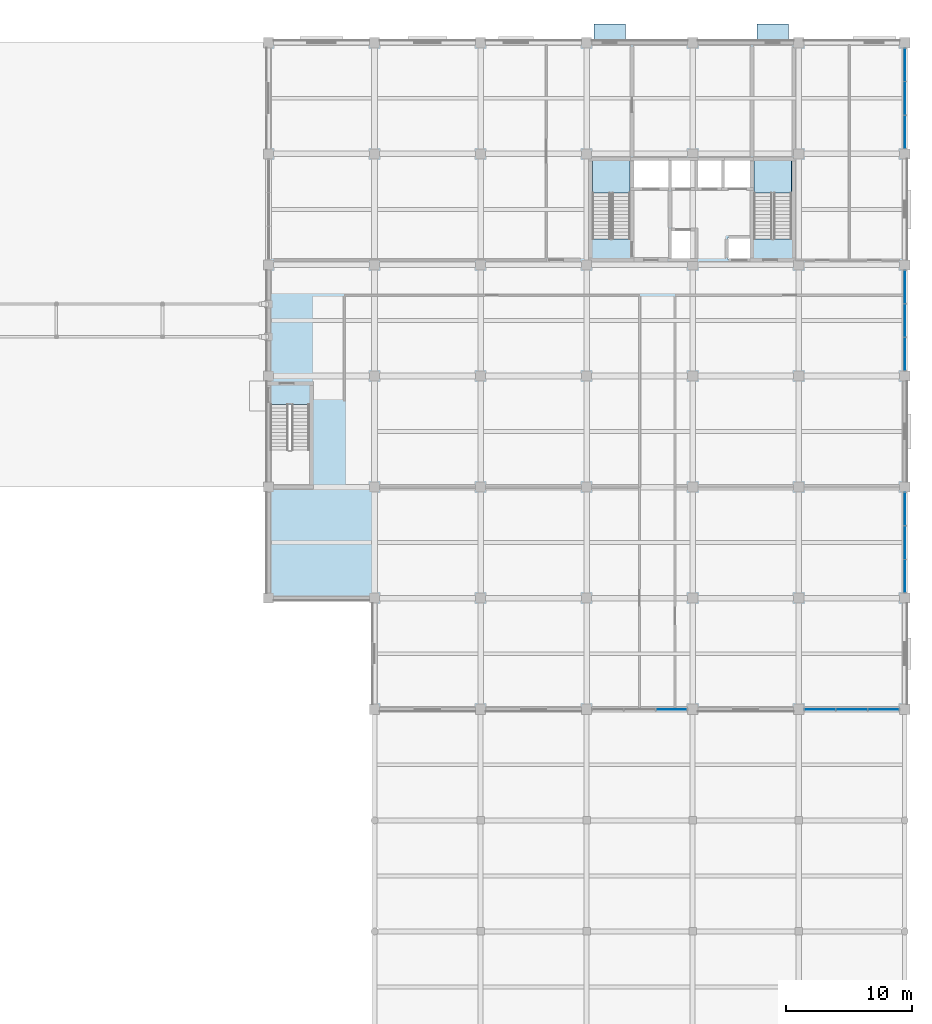
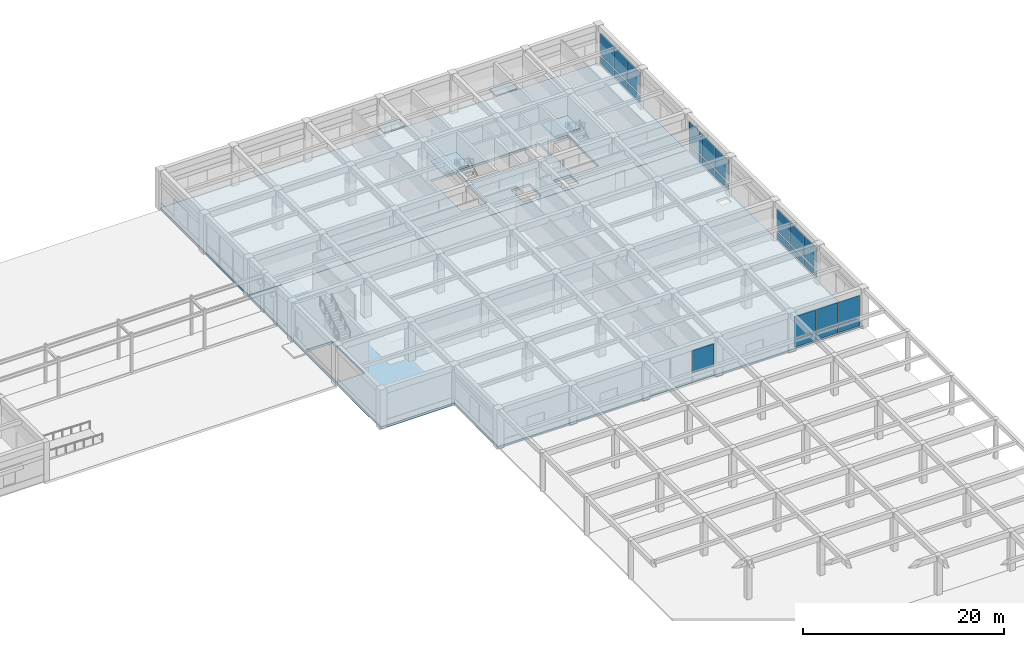
# One storey, part 28 of 58: 25 plates, 6 slabs, 7 elements without a shape of their own.
"""IFC4 building model written with IfcOpenShell, lengths in metres."""

from ifc_helpers import new_model, si_unit, direction, frame, origin, origin_2d, place, context, subcontext, project, spatial, polyline, rectangle, outline, extrude, material, layer, layer_set, type_object, element, aggregate, save


model = new_model("IFC4")

# Units and contexts
model_context = context("Model", 3, precision=1e-05, world=origin(), true_north=direction((0.0, 1.0)))
body_context = subcontext(model_context, "Body", "Model", "MODEL_VIEW")
ifc_project = project(units=[si_unit("LENGTHUNIT", "METRE"), si_unit("AREAUNIT", "SQUARE_METRE"), si_unit("VOLUMEUNIT", "CUBIC_METRE"), si_unit("PLANEANGLEUNIT", "RADIAN"), si_unit("MASSUNIT", "GRAM", prefix="KILO")], contexts=[model_context])

# Site, building, storey
site_placement = place(None, origin())
site = spatial("IfcSite", under=ifc_project, at=site_placement, CompositionType="ELEMENT")
building_placement = place(site_placement, origin())
building = spatial("IfcBuilding", under=site, at=building_placement, Name="Kemercrest Conservatory and Botanical Centre", CompositionType="ELEMENT")
storey_placement = place(building_placement, origin())
storey = spatial("IfcBuildingStorey", under=building, at=storey_placement, Name="L00", CompositionType="ELEMENT", Elevation=0.0)

# Curtain wall, plate
ifc_material_1 = material(Name="Thermally broken aluminium and triple low-e glazing", Category="aluminium")
curtain_wall_type_1 = type_object("IfcCurtainWallType", Name="CW-13", PredefinedType="USERDEFINED", material=ifc_material_1)
curtain_wall_1_placement = place(storey_placement, origin())
curtain_wall_1 = element("IfcCurtainWall", 1, at=curtain_wall_1_placement, inside=storey, type_object=curtain_wall_type_1, Name="Unitised curtain wall CW-13 (CW:L00:V4-042)", ObjectType="UNITISED CURTAIN WALL", PredefinedType="USERDEFINED")
ifc_material_2 = material(Name="Triple low-e argon insulated glazing unit", Category="glass")
ifc_layer_1 = layer(ifc_material_2, 0.035888671875)
ifc_layer_set_1 = layer_set([ifc_layer_1], Name="Triple low-e argon insulated glazing unit")
plate_type = type_object("IfcPlateType", Name="CW-PNL036", PredefinedType="CURTAIN_PANEL", material=ifc_layer_set_1)
plate_1_placement = place(storey_placement, frame((157.5205078125, 69.60009765625, 1.2099609375), z_axis=(0.0, 0.0, 1.0), x_axis=(1.0, 0.0, 0.0)))
plate_1 = element("IfcPlate", 2, at=plate_1_placement, type_object=plate_type, Name="CW-13 panel 3.2", PredefinedType="CURTAIN_PANEL", context=body_context, shape_type="SweptSolid", body=[
    extrude(rectangle(XDim=2.439208984375, YDim=0.035888671875, at=origin_2d()), origin(), (0.0, 0.0, 1.0), 2.6650390625),
])
aggregate(curtain_wall_1, [plate_1])

# Curtain wall, plates
curtain_wall_type_2 = type_object("IfcCurtainWallType", Name="CW-14", PredefinedType="USERDEFINED", material=ifc_material_1)
curtain_wall_2_placement = place(storey_placement, origin())
curtain_wall_2 = element("IfcCurtainWall", 3, at=curtain_wall_2_placement, inside=storey, type_object=curtain_wall_type_2, Name="Unitised curtain wall CW-14 (CW:L00:V4-043)", ObjectType="UNITISED CURTAIN WALL", PredefinedType="USERDEFINED")
plate_2_placement = place(storey_placement, frame((169.279541015625, 69.60009765625, 0.179931640625), z_axis=(0.0, 0.0, 1.0), x_axis=(1.0, 0.0, 0.0)))
plate_2 = element("IfcPlate", 4, at=plate_2_placement, type_object=plate_type, Name="CW-14 panel 1.1", PredefinedType="CURTAIN_PANEL", context=body_context, shape_type="SweptSolid", body=[
    extrude(rectangle(XDim=2.439208984375, YDim=0.035888671875, at=origin_2d()), origin(), (0.0, 0.0, 1.0), 0.85009765625),
])
plate_3_placement = place(storey_placement, frame((169.279541015625, 69.60009765625, 1.2099609375), z_axis=(0.0, 0.0, 1.0), x_axis=(1.0, 0.0, 0.0)))
plate_3 = element("IfcPlate", 5, at=plate_3_placement, type_object=plate_type, Name="CW-14 panel 1.2", PredefinedType="CURTAIN_PANEL", context=body_context, shape_type="SweptSolid", body=[
    extrude(rectangle(XDim=2.439208984375, YDim=0.035888671875, at=origin_2d()), origin(), (0.0, 0.0, 1.0), 2.6650390625),
])
plate_4_placement = place(storey_placement, frame((171.800048828125, 69.60009765625, 0.179931640625), z_axis=(0.0, 0.0, 1.0), x_axis=(1.0, 0.0, 0.0)))
plate_4 = element("IfcPlate", 6, at=plate_4_placement, type_object=plate_type, Name="CW-14 panel 2.1", PredefinedType="CURTAIN_PANEL", context=body_context, shape_type="SweptSolid", body=[
    extrude(rectangle(XDim=2.4716796875, YDim=0.035888671875, at=origin_2d()), origin(), (0.0, 0.0, 1.0), 0.85009765625),
])
plate_5_placement = place(storey_placement, frame((171.800048828125, 69.60009765625, 1.2099609375), z_axis=(0.0, 0.0, 1.0), x_axis=(1.0, 0.0, 0.0)))
plate_5 = element("IfcPlate", 7, at=plate_5_placement, type_object=plate_type, Name="CW-14 panel 2.2", PredefinedType="CURTAIN_PANEL", context=body_context, shape_type="SweptSolid", body=[
    extrude(rectangle(XDim=2.4716796875, YDim=0.035888671875, at=origin_2d()), origin(), (0.0, 0.0, 1.0), 2.6650390625),
])
plate_6_placement = place(storey_placement, frame((174.3203125, 69.60009765625, 0.179931640625), z_axis=(0.0, 0.0, 1.0), x_axis=(1.0, 0.0, 0.0)))
plate_6 = element("IfcPlate", 8, at=plate_6_placement, type_object=plate_type, Name="CW-14 panel 3.1", PredefinedType="CURTAIN_PANEL", context=body_context, shape_type="SweptSolid", body=[
    extrude(rectangle(XDim=2.439208984375, YDim=0.035888671875, at=origin_2d()), origin(), (0.0, 0.0, 1.0), 0.85009765625),
])
plate_7_placement = place(storey_placement, frame((174.3203125, 69.60009765625, 1.2099609375), z_axis=(0.0, 0.0, 1.0), x_axis=(1.0, 0.0, 0.0)))
plate_7 = element("IfcPlate", 9, at=plate_7_placement, type_object=plate_type, Name="CW-14 panel 3.2", PredefinedType="CURTAIN_PANEL", context=body_context, shape_type="SweptSolid", body=[
    extrude(rectangle(XDim=2.439208984375, YDim=0.035888671875, at=origin_2d()), origin(), (0.0, 0.0, 1.0), 2.6650390625),
])
aggregate(curtain_wall_2, [plate_2, plate_3, plate_4, plate_5, plate_6, plate_7])

curtain_wall_type_3 = type_object("IfcCurtainWallType", Name="CW-15", PredefinedType="USERDEFINED", material=ifc_material_1)
curtain_wall_3_placement = place(storey_placement, origin())
curtain_wall_3 = element("IfcCurtainWall", 10, at=curtain_wall_3_placement, inside=storey, type_object=curtain_wall_type_3, Name="Unitised curtain wall CW-15 (CW:L00:V4-044)", ObjectType="UNITISED CURTAIN WALL", PredefinedType="USERDEFINED")
plate_8_placement = place(storey_placement, frame((176.0, 80.146240234375, 0.179931640625), z_axis=(0.0, 0.0, 1.0), x_axis=(0.0, 1.0, 0.0)))
plate_8 = element("IfcPlate", 11, at=plate_8_placement, type_object=plate_type, Name="CW-15 panel 1.1", PredefinedType="CURTAIN_PANEL", context=body_context, shape_type="SweptSolid", body=[
    extrude(rectangle(XDim=2.572509765625, YDim=0.035888671875, at=origin_2d()), origin(), (0.0, 0.0, 1.0), 0.85009765625),
])
plate_9_placement = place(storey_placement, frame((176.0, 80.146240234375, 1.2099609375), z_axis=(0.0, 0.0, 1.0), x_axis=(0.0, 1.0, 0.0)))
plate_9 = element("IfcPlate", 12, at=plate_9_placement, type_object=plate_type, Name="CW-15 panel 1.2", PredefinedType="CURTAIN_PANEL", context=body_context, shape_type="SweptSolid", body=[
    extrude(rectangle(XDim=2.572509765625, YDim=0.035888671875, at=origin_2d()), origin(), (0.0, 0.0, 1.0), 2.6650390625),
])
plate_10_placement = place(storey_placement, frame((176.0, 82.800048828125, 0.179931640625), z_axis=(0.0, 0.0, 1.0), x_axis=(0.0, 1.0, 0.0)))
plate_10 = element("IfcPlate", 13, at=plate_10_placement, type_object=plate_type, Name="CW-15 panel 2.1", PredefinedType="CURTAIN_PANEL", context=body_context, shape_type="SweptSolid", body=[
    extrude(rectangle(XDim=2.60498046875, YDim=0.035888671875, at=origin_2d()), origin(), (0.0, 0.0, 1.0), 0.85009765625),
])
plate_11_placement = place(storey_placement, frame((176.0, 82.800048828125, 1.2099609375), z_axis=(0.0, 0.0, 1.0), x_axis=(0.0, 1.0, 0.0)))
plate_11 = element("IfcPlate", 14, at=plate_11_placement, type_object=plate_type, Name="CW-15 panel 2.2", PredefinedType="CURTAIN_PANEL", context=body_context, shape_type="SweptSolid", body=[
    extrude(rectangle(XDim=2.60498046875, YDim=0.035888671875, at=origin_2d()), origin(), (0.0, 0.0, 1.0), 2.6650390625),
])
plate_12_placement = place(storey_placement, frame((176.0, 85.453857421875, 0.179931640625), z_axis=(0.0, 0.0, 1.0), x_axis=(0.0, 1.0, 0.0)))
plate_12 = element("IfcPlate", 15, at=plate_12_placement, type_object=plate_type, Name="CW-15 panel 3.1", PredefinedType="CURTAIN_PANEL", context=body_context, shape_type="SweptSolid", body=[
    extrude(rectangle(XDim=2.572509765625, YDim=0.035888671875, at=origin_2d()), origin(), (0.0, 0.0, 1.0), 0.85009765625),
])
plate_13_placement = place(storey_placement, frame((176.0, 85.453857421875, 1.2099609375), z_axis=(0.0, 0.0, 1.0), x_axis=(0.0, 1.0, 0.0)))
plate_13 = element("IfcPlate", 16, at=plate_13_placement, type_object=plate_type, Name="CW-15 panel 3.2", PredefinedType="CURTAIN_PANEL", context=body_context, shape_type="SweptSolid", body=[
    extrude(rectangle(XDim=2.572509765625, YDim=0.035888671875, at=origin_2d()), origin(), (0.0, 0.0, 1.0), 2.6650390625),
])
aggregate(curtain_wall_3, [plate_8, plate_9, plate_10, plate_11, plate_12, plate_13])

curtain_wall_type_4 = type_object("IfcCurtainWallType", Name="CW-16", PredefinedType="USERDEFINED", material=ifc_material_1)
curtain_wall_4_placement = place(storey_placement, origin())
curtain_wall_4 = element("IfcCurtainWall", 17, at=curtain_wall_4_placement, inside=storey, type_object=curtain_wall_type_4, Name="Unitised curtain wall CW-16 (CW:L00:V4-045)", ObjectType="UNITISED CURTAIN WALL", PredefinedType="USERDEFINED")
plate_14_placement = place(storey_placement, frame((176.0, 97.746337890625, 0.179931640625), z_axis=(0.0, 0.0, 1.0), x_axis=(0.0, 1.0, 0.0)))
plate_14 = element("IfcPlate", 18, at=plate_14_placement, type_object=plate_type, Name="CW-16 panel 1.1", PredefinedType="CURTAIN_PANEL", context=body_context, shape_type="SweptSolid", body=[
    extrude(rectangle(XDim=2.572509765625, YDim=0.035888671875, at=origin_2d()), origin(), (0.0, 0.0, 1.0), 0.85009765625),
])
plate_15_placement = place(storey_placement, frame((176.0, 97.746337890625, 1.2099609375), z_axis=(0.0, 0.0, 1.0), x_axis=(0.0, 1.0, 0.0)))
plate_15 = element("IfcPlate", 19, at=plate_15_placement, type_object=plate_type, Name="CW-16 panel 1.2", PredefinedType="CURTAIN_PANEL", context=body_context, shape_type="SweptSolid", body=[
    extrude(rectangle(XDim=2.572509765625, YDim=0.035888671875, at=origin_2d()), origin(), (0.0, 0.0, 1.0), 2.6650390625),
])
plate_16_placement = place(storey_placement, frame((176.0, 100.39990234375, 0.179931640625), z_axis=(0.0, 0.0, 1.0), x_axis=(0.0, 1.0, 0.0)))
plate_16 = element("IfcPlate", 20, at=plate_16_placement, type_object=plate_type, Name="CW-16 panel 2.1", PredefinedType="CURTAIN_PANEL", context=body_context, shape_type="SweptSolid", body=[
    extrude(rectangle(XDim=2.60498046875, YDim=0.035888671875, at=origin_2d()), origin(), (0.0, 0.0, 1.0), 0.85009765625),
])
plate_17_placement = place(storey_placement, frame((176.0, 100.39990234375, 1.2099609375), z_axis=(0.0, 0.0, 1.0), x_axis=(0.0, 1.0, 0.0)))
plate_17 = element("IfcPlate", 21, at=plate_17_placement, type_object=plate_type, Name="CW-16 panel 2.2", PredefinedType="CURTAIN_PANEL", context=body_context, shape_type="SweptSolid", body=[
    extrude(rectangle(XDim=2.60498046875, YDim=0.035888671875, at=origin_2d()), origin(), (0.0, 0.0, 1.0), 2.6650390625),
])
plate_18_placement = place(storey_placement, frame((176.0, 103.0537109375, 0.179931640625), z_axis=(0.0, 0.0, 1.0), x_axis=(0.0, 1.0, 0.0)))
plate_18 = element("IfcPlate", 22, at=plate_18_placement, type_object=plate_type, Name="CW-16 panel 3.1", PredefinedType="CURTAIN_PANEL", context=body_context, shape_type="SweptSolid", body=[
    extrude(rectangle(XDim=2.572509765625, YDim=0.035888671875, at=origin_2d()), origin(), (0.0, 0.0, 1.0), 0.85009765625),
])
plate_19_placement = place(storey_placement, frame((176.0, 103.0537109375, 1.2099609375), z_axis=(0.0, 0.0, 1.0), x_axis=(0.0, 1.0, 0.0)))
plate_19 = element("IfcPlate", 23, at=plate_19_placement, type_object=plate_type, Name="CW-16 panel 3.2", PredefinedType="CURTAIN_PANEL", context=body_context, shape_type="SweptSolid", body=[
    extrude(rectangle(XDim=2.572509765625, YDim=0.035888671875, at=origin_2d()), origin(), (0.0, 0.0, 1.0), 2.6650390625),
])
aggregate(curtain_wall_4, [plate_14, plate_15, plate_16, plate_17, plate_18, plate_19])

curtain_wall_type_5 = type_object("IfcCurtainWallType", Name="CW-17", PredefinedType="USERDEFINED", material=ifc_material_1)
curtain_wall_5_placement = place(storey_placement, origin())
curtain_wall_5 = element("IfcCurtainWall", 24, at=curtain_wall_5_placement, inside=storey, type_object=curtain_wall_type_5, Name="Unitised curtain wall CW-17 (CW:L00:V4-046)", ObjectType="UNITISED CURTAIN WALL", PredefinedType="USERDEFINED")
plate_20_placement = place(storey_placement, frame((176.0, 115.34619140625, 0.179931640625), z_axis=(0.0, 0.0, 1.0), x_axis=(0.0, 1.0, 0.0)))
plate_20 = element("IfcPlate", 25, at=plate_20_placement, type_object=plate_type, Name="CW-17 panel 1.1", PredefinedType="CURTAIN_PANEL", context=body_context, shape_type="SweptSolid", body=[
    extrude(rectangle(XDim=2.572509765625, YDim=0.035888671875, at=origin_2d()), origin(), (0.0, 0.0, 1.0), 0.85009765625),
])
plate_21_placement = place(storey_placement, frame((176.0, 115.34619140625, 1.2099609375), z_axis=(0.0, 0.0, 1.0), x_axis=(0.0, 1.0, 0.0)))
plate_21 = element("IfcPlate", 26, at=plate_21_placement, type_object=plate_type, Name="CW-17 panel 1.2", PredefinedType="CURTAIN_PANEL", context=body_context, shape_type="SweptSolid", body=[
    extrude(rectangle(XDim=2.572509765625, YDim=0.035888671875, at=origin_2d()), origin(), (0.0, 0.0, 1.0), 2.6650390625),
])
plate_22_placement = place(storey_placement, frame((176.0, 118.0, 0.179931640625), z_axis=(0.0, 0.0, 1.0), x_axis=(0.0, 1.0, 0.0)))
plate_22 = element("IfcPlate", 27, at=plate_22_placement, type_object=plate_type, Name="CW-17 panel 2.1", PredefinedType="CURTAIN_PANEL", context=body_context, shape_type="SweptSolid", body=[
    extrude(rectangle(XDim=2.60498046875, YDim=0.035888671875, at=origin_2d()), origin(), (0.0, 0.0, 1.0), 0.85009765625),
])
plate_23_placement = place(storey_placement, frame((176.0, 118.0, 1.2099609375), z_axis=(0.0, 0.0, 1.0), x_axis=(0.0, 1.0, 0.0)))
plate_23 = element("IfcPlate", 28, at=plate_23_placement, type_object=plate_type, Name="CW-17 panel 2.2", PredefinedType="CURTAIN_PANEL", context=body_context, shape_type="SweptSolid", body=[
    extrude(rectangle(XDim=2.60498046875, YDim=0.035888671875, at=origin_2d()), origin(), (0.0, 0.0, 1.0), 2.6650390625),
])
plate_24_placement = place(storey_placement, frame((176.0, 120.65380859375, 0.179931640625), z_axis=(0.0, 0.0, 1.0), x_axis=(0.0, 1.0, 0.0)))
plate_24 = element("IfcPlate", 29, at=plate_24_placement, type_object=plate_type, Name="CW-17 panel 3.1", PredefinedType="CURTAIN_PANEL", context=body_context, shape_type="SweptSolid", body=[
    extrude(rectangle(XDim=2.572509765625, YDim=0.035888671875, at=origin_2d()), origin(), (0.0, 0.0, 1.0), 0.85009765625),
])
plate_25_placement = place(storey_placement, frame((176.0, 120.65380859375, 1.2099609375), z_axis=(0.0, 0.0, 1.0), x_axis=(0.0, 1.0, 0.0)))
plate_25 = element("IfcPlate", 30, at=plate_25_placement, type_object=plate_type, Name="CW-17 panel 3.2", PredefinedType="CURTAIN_PANEL", context=body_context, shape_type="SweptSolid", body=[
    extrude(rectangle(XDim=2.572509765625, YDim=0.035888671875, at=origin_2d()), origin(), (0.0, 0.0, 1.0), 2.6650390625),
])
aggregate(curtain_wall_5, [plate_20, plate_21, plate_22, plate_23, plate_24, plate_25])

# Slabs
ifc_material_3 = material(Name="Precast concrete C40/50", Category="concrete")
ifc_layer_2 = layer(ifc_material_3, 0.179931640625)
ifc_layer_set_2 = layer_set([ifc_layer_2], Name="Precast concrete C40/50")
slab_type_1 = type_object("IfcSlabType", Name="SL-COL180", PredefinedType="USERDEFINED", material=ifc_layer_set_2)
slab_1_placement = place(storey_placement, frame((0.0, 0.0, -0.179931640625)))
element("IfcSlab", 31, at=slab_1_placement, inside=storey, type_object=slab_type_1, Name="Exterior threshold paving pad ED036", ObjectType="PAVING", PredefinedType="USERDEFINED", context=body_context, shape_type="SweptSolid", body=[
    extrude(outline(polyline([(166.7900390625, 122.550048828125), (164.2900390625, 122.550048828125), (164.2900390625, 123.89990234375), (166.7900390625, 123.89990234375), (166.7900390625, 122.550048828125)])), origin(), (0.0, 0.0, 1.0), 0.179931640625),
])
slab_2_placement = place(storey_placement, frame((0.0, 0.0, -0.179931640625)))
element("IfcSlab", 32, at=slab_2_placement, inside=storey, type_object=slab_type_1, Name="Exterior threshold paving pad ED037", ObjectType="PAVING", PredefinedType="USERDEFINED", context=body_context, shape_type="SweptSolid", body=[
    extrude(outline(polyline([(153.889892578125, 122.550048828125), (151.389892578125, 122.550048828125), (151.389892578125, 123.89990234375), (153.889892578125, 123.89990234375), (153.889892578125, 122.550048828125)])), origin(), (0.0, 0.0, 1.0), 0.179931640625),
])
ifc_material_4 = material(Name="Concrete C40/50", Category="concrete")
ifc_layer_3 = layer(ifc_material_4, 0.280029296875)
ifc_layer_set_3 = layer_set([ifc_layer_3], Name="Concrete C40/50")
slab_type_2 = type_object("IfcSlabType", Name="SL-FL280", PredefinedType="FLOOR", material=ifc_layer_set_3)
slab_3_placement = place(storey_placement, frame((0.0, 0.0, -0.280029296875)))
element("IfcSlab", 33, at=slab_3_placement, inside=storey, type_object=slab_type_2, Name="V4 Tower L00 North Core and Studio Slab", PredefinedType="FLOOR", context=body_context, shape_type="SweptSolid", body=[
    extrude(outline(polyline([(125.60009765625, 122.39990234375), (125.60009765625, 104.800048828125), (176.0, 104.800048828125), (176.0, 122.39990234375), (125.60009765625, 122.39990234375)]), holes=[polyline([(164.06005859375, 106.864990234375), (164.06005859375, 113.06005859375), (167.0400390625, 113.06005859375), (167.0400390625, 106.864990234375), (164.06005859375, 106.864990234375)]), polyline([(154.39990234375, 110.800048828125), (154.39990234375, 113.199951171875), (163.89990234375, 113.199951171875), (163.89990234375, 110.800048828125), (154.39990234375, 110.800048828125)]), polyline([(161.949951171875, 105.25), (161.949951171875, 106.949951171875), (163.85009765625, 106.949951171875), (163.85009765625, 105.25), (161.949951171875, 105.25)]), polyline([(157.39990234375, 105.199951171875), (157.39990234375, 107.60009765625), (159.5, 107.60009765625), (159.5, 105.199951171875), (157.39990234375, 105.199951171875)]), polyline([(154.239990234375, 106.864990234375), (151.260009765625, 106.864990234375), (151.260009765625, 113.06005859375), (154.239990234375, 113.06005859375), (154.239990234375, 106.864990234375)])]), origin(), (0.0, 0.0, 1.0), 0.280029296875),
])
slab_4_placement = place(storey_placement, frame((0.0, 0.0, -0.280029296875)))
element("IfcSlab", 34, at=slab_4_placement, inside=storey, type_object=slab_type_2, Name="V4 Tower L00 South Laboratory Slab", PredefinedType="FLOOR", context=body_context, shape_type="SweptSolid", body=[
    extrude(outline(polyline([(134.0, 78.39990234375), (134.0, 69.60009765625), (176.0, 69.60009765625), (176.0, 104.800048828125), (125.60009765625, 104.800048828125), (125.60009765625, 78.39990234375), (134.0, 78.39990234375)]), holes=[polyline([(174.199951171875, 95.800048828125), (175.39990234375, 95.800048828125), (175.39990234375, 94.800048828125), (174.199951171875, 94.800048828125), (174.199951171875, 95.800048828125)]), polyline([(128.840087890625, 93.735107421875), (128.840087890625, 87.340087890625), (125.760009765625, 87.340087890625), (125.760009765625, 93.735107421875), (128.840087890625, 93.735107421875)])]), origin(), (0.0, 0.0, 1.0), 0.280029296875),
])

# Stair, slab
stair_type = type_object("IfcStairType", Name="ST-142-48", PredefinedType="HALF_TURN_STAIR", material=ifc_material_4)
stair_1_placement = place(storey_placement, origin())
stair_1 = element("IfcStair", 35, at=stair_1_placement, inside=storey, type_object=stair_type, Name="L00 Exit stair ST-V4A", PredefinedType="HALF_TURN_STAIR")
ifc_layer_4 = layer(ifc_material_4, 0.199951171875)
ifc_layer_set_4 = layer_set([ifc_layer_4], Name="Concrete C40/50")
slab_type_3 = type_object("IfcSlabType", Name="SL-LND200", PredefinedType="LANDING", material=ifc_layer_set_4)
slab_5_placement = place(storey_placement, frame((0.0, 0.0, 2.199951171875)))
slab_5 = element("IfcSlab", 36, at=slab_5_placement, type_object=slab_type_3, Name="ST-V4A landing 1", PredefinedType="LANDING", context=body_context, shape_type="SweptSolid", body=[
    extrude(outline(polyline([(154.239990234375, 110.47998046875), (154.239990234375, 113.06005859375), (151.260009765625, 113.06005859375), (151.260009765625, 110.47998046875), (154.239990234375, 110.47998046875)])), origin(), (0.0, 0.0, 1.0), 0.199951171875),
])
aggregate(stair_1, [slab_5])

stair_2_placement = place(storey_placement, origin())
stair_2 = element("IfcStair", 37, at=stair_2_placement, inside=storey, type_object=stair_type, Name="L00 Exit stair ST-V4B", PredefinedType="HALF_TURN_STAIR")
slab_6_placement = place(storey_placement, frame((0.0, 0.0, 2.199951171875)))
slab_6 = element("IfcSlab", 38, at=slab_6_placement, type_object=slab_type_3, Name="ST-V4B landing 1", PredefinedType="LANDING", context=body_context, shape_type="SweptSolid", body=[
    extrude(outline(polyline([(167.0400390625, 110.47998046875), (167.0400390625, 113.06005859375), (164.06005859375, 113.06005859375), (164.06005859375, 110.47998046875), (167.0400390625, 110.47998046875)])), origin(), (0.0, 0.0, 1.0), 0.199951171875),
])
aggregate(stair_2, [slab_6])

save(model, "model.ifc")
